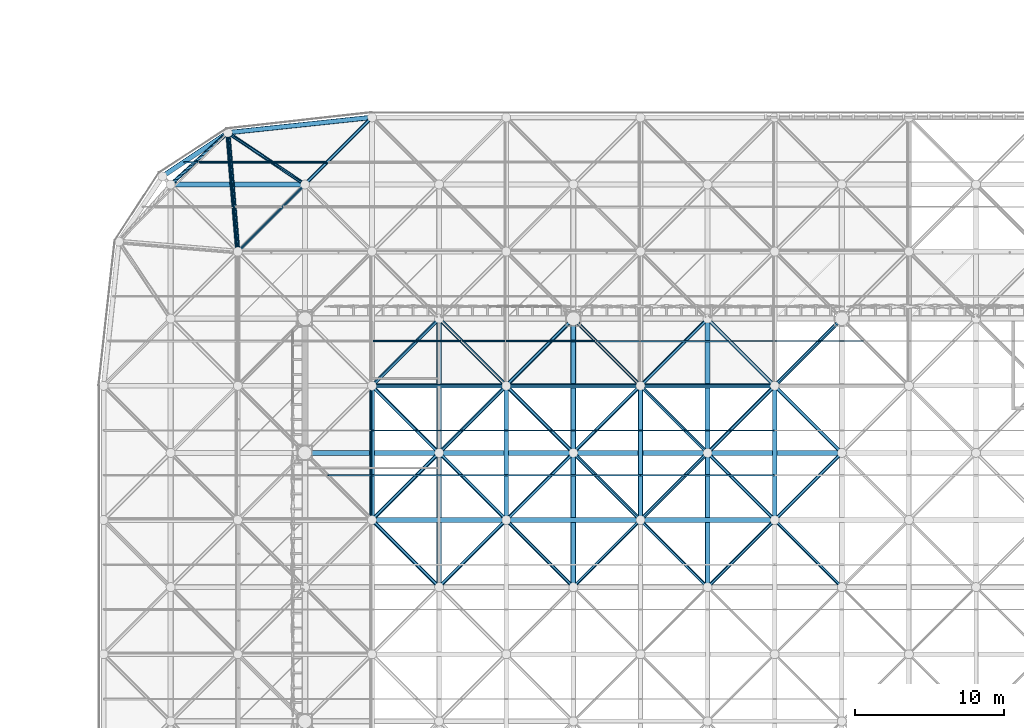
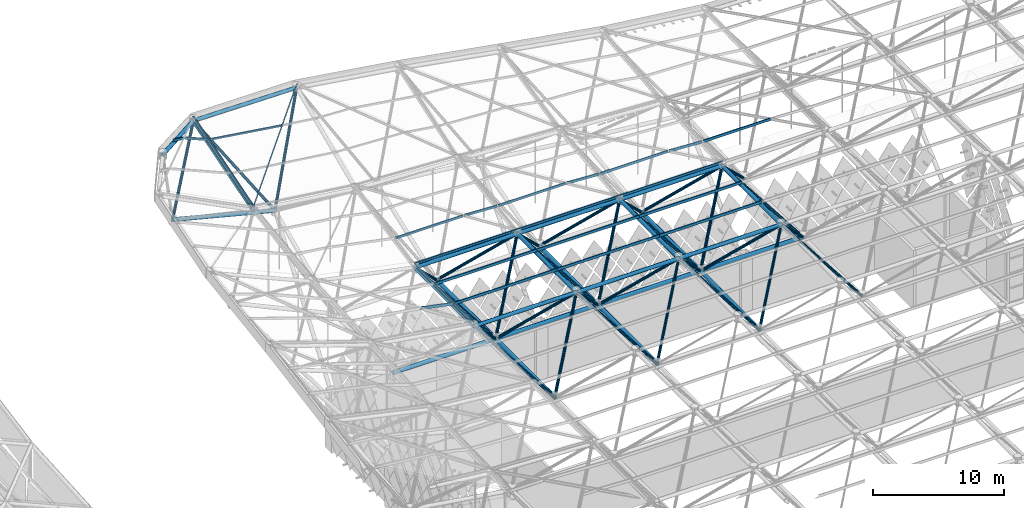
# One storey, part 146 of 437: 79 members.
"""IFC4 building model written with IfcOpenShell, lengths in metres."""

import ifcopenshell
import ifcopenshell.guid

model = None  # the IFC model being written
_history = None  # IfcOwnerHistory: only IFC2X3 demands one
_inside = {}  # id of a spatial element -> (the spatial element, [elements in it])
_under = {}  # id of a project, library or spatial element -> (it, [spatial elements below it])
_declared = {}  # id of a project -> (the project, [libraries it declares])
_typed = {}  # id of a type object -> (the type object, [elements of that type])
_made_of = {}  # id of a material, layer set ... -> (it, [elements and type objects made of it])


def new_model(schema):
    """Start an empty IFC model of exactly this schema.

    Asked for "IFC4X3", IfcOpenShell would pick the latest addendum, in which some entities
    have other attributes; the version numbers below select the first issue.
    IFC2X3 requires an IfcOwnerHistory on every rooted entity: one is made here for all.
    """
    global model, _history
    if schema == "IFC4X3":
        model = ifcopenshell.file(schema_version=(4, 3, 0, 0))
    else:
        model = ifcopenshell.file(schema=schema)
    _inside.clear()
    _under.clear()
    _declared.clear()
    _typed.clear()
    _made_of.clear()
    _history = None
    if model.schema == "IFC2X3":
        org = make("IfcOrganization", Name="unknown")
        user = make(
            "IfcPersonAndOrganization",
            ThePerson=make("IfcPerson", FamilyName="unknown"),
            TheOrganization=org,
        )
        app = make(
            "IfcApplication",
            ApplicationDeveloper=org,
            Version="unknown",
            ApplicationFullName="unknown",
            ApplicationIdentifier="unknown",
        )
        _history = make(
            "IfcOwnerHistory",
            OwningUser=user,
            OwningApplication=app,
            ChangeAction="ADDED",
            CreationDate=0,
        )
    return model


def make(cls, **values):
    """One entity of the class cls with the attributes given. An attribute that is None is left unset."""
    return model.create_entity(
        cls, **{name: value for name, value in values.items() if value is not None}
    )


def rooted(cls, **values):
    """An entity with a GlobalId (a new one), such as an element, a storey or a relation."""
    return make(cls, GlobalId=ifcopenshell.guid.new(), OwnerHistory=_history, **values)


def si_unit(unit_type, name, prefix=None):
    """IfcSIUnit, for example si_unit("LENGTHUNIT", "METRE", prefix="MILLI")."""
    return make("IfcSIUnit", UnitType=unit_type, Prefix=prefix, Name=name)


def assignment(units):
    """IfcUnitAssignment: the units of a project."""
    return None if units is None else make("IfcUnitAssignment", Units=units)


def point(xyz):
    """IfcCartesianPoint."""
    return None if xyz is None else make("IfcCartesianPoint", Coordinates=xyz)


def direction(xyz):
    """IfcDirection."""
    return None if xyz is None else make("IfcDirection", DirectionRatios=xyz)


def frame(location, z_axis=None, x_axis=None):
    """IfcAxis2Placement3D, a coordinate frame: its origin and axes. An axis left out is left unset."""
    return make(
        "IfcAxis2Placement3D",
        Location=point(location),
        Axis=direction(z_axis),
        RefDirection=direction(x_axis),
    )


def frame_2d(location, x_axis=None):
    """IfcAxis2Placement2D, a coordinate frame in the plane: its origin and x axis."""
    return make(
        "IfcAxis2Placement2D", Location=point(location), RefDirection=direction(x_axis)
    )


def origin():
    """The frame at (0, 0, 0) with its axes left unset."""
    return frame((0.0, 0.0, 0.0))


def origin_2d():
    """The frame at (0, 0) in the plane with its x axis left unset."""
    return frame_2d((0.0, 0.0))


def place(relative_to, where):
    """IfcLocalPlacement: puts the frame where relative to a parent placement (None: the world)."""
    return make(
        "IfcLocalPlacement", PlacementRelTo=relative_to, RelativePlacement=where
    )


def context(
    kind, dimensions, precision=None, world=None, true_north=None, identifier=None
):
    """IfcGeometricRepresentationContext, for example the 3D "Model" context."""
    return make(
        "IfcGeometricRepresentationContext",
        ContextIdentifier=identifier,
        ContextType=kind,
        CoordinateSpaceDimension=dimensions,
        Precision=precision,
        WorldCoordinateSystem=world,
        TrueNorth=true_north,
    )


def subcontext(parent, identifier, kind, view, scale=None):
    """IfcGeometricRepresentationSubContext, for example "Body" below "Model"."""
    return make(
        "IfcGeometricRepresentationSubContext",
        ContextIdentifier=identifier,
        ContextType=kind,
        ParentContext=parent,
        TargetScale=scale,
        TargetView=view,
    )


def project(units=None, contexts=None):
    """IfcProject with its units and contexts."""
    return rooted(
        "IfcProject",
        Name="project",
        RepresentationContexts=contexts,
        UnitsInContext=assignment(units),
    )


def spatial(cls, under=None, at=None, **own):
    """A site, building, storey or space (cls), placed at a placement, below another one or the project."""
    s = rooted(cls, ObjectPlacement=at, **own)
    if under is not None:
        _under.setdefault(under.id(), (under, []))[1].append(s)
    return s


def polyline(points):
    """IfcPolyline through the points."""
    return make("IfcPolyline", Points=[point(p) for p in points])


def profile(cls, at=None, kind="AREA", **sizes):
    """A parametric profile (cls). Its sizes go by their IFC names, for example OverallWidth=200.0."""
    return make(cls, ProfileType=kind, Position=at, **sizes)


def hollow_circle(**sizes):
    """IfcCircleHollowProfileDef."""
    return profile("IfcCircleHollowProfileDef", **sizes)


def outline(outer, holes=None, kind="AREA"):
    """IfcArbitraryClosedProfileDef: a profile drawn as a closed curve; with holes, ...WithVoids."""
    if holes is None:
        return make("IfcArbitraryClosedProfileDef", ProfileType=kind, OuterCurve=outer)
    return make(
        "IfcArbitraryProfileDefWithVoids",
        ProfileType=kind,
        OuterCurve=outer,
        InnerCurves=holes,
    )


def extrude(swept, where, along, depth):
    """IfcExtrudedAreaSolid: the profile swept, set in the frame where, extruded along a direction by depth."""
    return make(
        "IfcExtrudedAreaSolid",
        SweptArea=swept,
        Position=where,
        ExtrudedDirection=direction(along),
        Depth=depth,
    )


def shape(context_of_items, identifier, shape_type, items):
    """IfcShapeRepresentation: the items that make up one representation, for example the "Body"."""
    return make(
        "IfcShapeRepresentation",
        ContextOfItems=context_of_items,
        RepresentationIdentifier=identifier,
        RepresentationType=shape_type,
        Items=items,
    )


def material(Name=None, Category=None):
    """IfcMaterial."""
    return make("IfcMaterial", Name=Name, Category=Category)


def material_profile(
    of_material, cross_section, Name=None, Category=None, Priority=None
):
    """IfcMaterialProfile: a cross section and its material."""
    return make(
        "IfcMaterialProfile",
        Name=Name,
        Material=of_material,
        Profile=cross_section,
        Priority=Priority,
        Category=Category,
    )


def profile_set(profiles, Name=None, composite=None):
    """IfcMaterialProfileSet."""
    return make(
        "IfcMaterialProfileSet",
        Name=Name,
        MaterialProfiles=profiles,
        CompositeProfile=composite,
    )


def made_of(thing, what):
    """Note that an element or type object is made of a material, layer set ...; save() writes the relation."""
    if what is not None:
        _made_of.setdefault(what.id(), (what, []))[1].append(thing)
    return thing


def type_object(cls, material=None, **own):
    """A type object (cls), such as IfcWallType, which elements share."""
    return made_of(rooted(cls, **own), material)


def element(
    cls,
    number,
    at=None,
    inside=None,
    cuts=None,
    type_object=None,
    material=None,
    context=None,
    identifier="Body",
    shape_type=None,
    held_by="IfcProductDefinitionShape",
    body=None,
    shapes=None,
    **own,
):
    """One element of the class cls, such as IfcWall. Its Tag is "e" and its number.

    at: its placement. inside: the storey or other place that contains it. cuts: it is an
    opening in that element (IfcRelVoidsElement). A single representation is given by context,
    identifier, shape_type and body (its items); several are given by shapes. held_by: the class
    of the entity that holds the representations. save() writes the other relations.
    """
    e = rooted(cls, Tag="e%d" % number, ObjectPlacement=at, **own)
    if body is not None:
        shapes = [shape(context, identifier, shape_type, body)]
    if shapes is not None:
        e.Representation = make(held_by, Representations=shapes)
    if inside is not None:
        _inside.setdefault(inside.id(), (inside, []))[1].append(e)
    if cuts is not None:
        rooted(
            "IfcRelVoidsElement", RelatingBuildingElement=cuts, RelatedOpeningElement=e
        )
    if type_object is not None:
        _typed.setdefault(type_object.id(), (type_object, []))[1].append(e)
    return made_of(e, material)


def aggregate(whole, parts):
    """IfcRelAggregates: a whole, such as a stair, and the parts it consists of."""
    return rooted("IfcRelAggregates", RelatingObject=whole, RelatedObjects=parts)


def save(model, path):
    """Write the relations noted so far, then the file.

    IfcRelAggregates (storeys below a building ...), IfcRelContainedInSpatialStructure (elements
    in a storey), IfcRelDefinesByType, IfcRelAssociatesMaterial and IfcRelDeclares: one each for
    every whole, place, type object, material and project.
    """
    for whole, parts in _under.values():
        aggregate(whole, parts)
    for where, things in _inside.values():
        rooted(
            "IfcRelContainedInSpatialStructure",
            RelatedElements=things,
            RelatingStructure=where,
        )
    for kind, things in _typed.values():
        rooted("IfcRelDefinesByType", RelatedObjects=things, RelatingType=kind)
    for what, things in _made_of.values():
        rooted("IfcRelAssociatesMaterial", RelatedObjects=things, RelatingMaterial=what)
    for by, libraries in _declared.values():
        rooted("IfcRelDeclares", RelatingContext=by, RelatedDefinitions=libraries)
    model.write(path)


model = new_model("IFC4")

# Units and contexts
model_context = context("Model", 3, precision=1e-05, world=origin(), true_north=direction((0.0, 1.0)))
body_context = subcontext(model_context, "Body", "Model", "MODEL_VIEW")
ifc_project = project(units=[si_unit("LENGTHUNIT", "METRE"), si_unit("AREAUNIT", "SQUARE_METRE"), si_unit("VOLUMEUNIT", "CUBIC_METRE"), si_unit("PLANEANGLEUNIT", "RADIAN"), si_unit("MASSUNIT", "GRAM", prefix="KILO")], contexts=[model_context])

# Site, building, storey
site_placement = place(None, origin())
site = spatial("IfcSite", under=ifc_project, at=site_placement, CompositionType="ELEMENT")
building_placement = place(site_placement, origin())
building = spatial("IfcBuilding", under=site, at=building_placement, Name="Opaline Strait Convention Centre", CompositionType="ELEMENT")
storey_placement = place(building_placement, frame((0.0, 0.0, 11.5)))
storey = spatial("IfcBuildingStorey", under=building, at=storey_placement, Name="L02", CompositionType="ELEMENT", Elevation=11.5)

# Members
ifc_material = material(Name="Steel Q355B", Category="steel")
ifc_material_profile_1 = material_profile(ifc_material, outline(polyline([(-0.03759765625, -0.125), (0.03759765625, -0.125), (0.03759765625, -0.10498046875), (0.034912109375, -0.10498046875), (0.034912109375, -0.12255859375), (-0.034912109375, -0.12255859375), (-0.034912109375, 0.12255859375), (0.034912109375, 0.12255859375), (0.034912109375, 0.10498046875), (0.03759765625, 0.10498046875), (0.03759765625, 0.125), (-0.03759765625, 0.125), (-0.03759765625, -0.125)])), Name="C 250x75x20x2.5")
ifc_profile_set_1 = profile_set([ifc_material_profile_1], Name="Steel Q355B")
member_type_1 = type_object("IfcMemberType", Name="Roof purlin C 250x75x20x2.5", PredefinedType="PURLIN", material=ifc_profile_set_1)
member_1_placement = place(storey_placement, frame((103.43603515625, 139.449951171875, 18.272705078125), z_axis=(0.0, 1.0, 0.0), x_axis=(-0.97978004307, 0.0, 0.200077652928)))
element("IfcMember", 1, at=member_1_placement, inside=storey, type_object=member_type_1, Name="EXB-RF-E-1-11a", PredefinedType="PURLIN", context=body_context, shape_type="SweptSolid", body=[
    extrude(outline(polyline([(-0.03759765625, -0.125), (0.03759765625, -0.125), (0.03759765625, -0.10498046875), (0.034912109375, -0.10498046875), (0.034912109375, -0.12255859375), (-0.034912109375, -0.12255859375), (-0.034912109375, 0.12255859375), (0.034912109375, 0.12255859375), (0.034912109375, 0.10498046875), (0.03759765625, 0.10498046875), (0.03759765625, 0.125), (-0.03759765625, 0.125), (-0.03759765625, -0.125)])), origin(), (0.0, 0.0, 1.0), 9.10009765625),
])
member_2_placement = place(storey_placement, frame((100.550048828125, 142.5, 18.862060546875), z_axis=(0.979782251456, 0.0, -0.200066838161), x_axis=(0.0, 1.0, 0.0)))
element("IfcMember", 2, at=member_2_placement, inside=storey, type_object=member_type_1, Name="EXB-RF-P-1-11-0a", PredefinedType="PURLIN", context=body_context, shape_type="SweptSolid", body=[
    extrude(outline(polyline([(-0.03759765625, -0.125), (0.03759765625, -0.125), (0.03759765625, -0.10498046875), (0.034912109375, -0.10498046875), (0.034912109375, -0.12255859375), (-0.034912109375, -0.12255859375), (-0.034912109375, 0.12255859375), (0.034912109375, 0.12255859375), (0.034912109375, 0.10498046875), (0.03759765625, 0.10498046875), (0.03759765625, 0.125), (-0.03759765625, 0.125), (-0.03759765625, -0.125)])), origin(), (0.0, 0.0, 1.0), 2.910400390625),
])
for number, where, z_axis, x_axis, name in (
    (3, (103.5, 142.5, 18.257080078125), (1.0, 0.0, 0.0), (0.0, 1.0, 0.0), "EXB-RF-P-2-11-0"),
    (4, (103.5, 145.5, 18.257080078125), (1.0, 0.0, 0.0), (0.0, 1.0, 0.0), "EXB-RF-P-2-11-1"),
    (5, (112.5, 142.5, 18.257080078125), (1.0, 0.0, 0.0), (0.0, 1.0, 0.0), "EXB-RF-P-3-11-0"),
    (6, (112.5, 145.5, 18.257080078125), (1.0, 0.0, 0.0), (0.0, 1.0, 0.0), "EXB-RF-P-3-11-1"),
    (7, (121.5, 142.5, 18.257080078125), (1.0, 0.0, 0.0), (0.0, 1.0, 0.0), "EXB-RF-P-4-11-0"),
    (8, (121.5, 145.5, 18.257080078125), (1.0, 0.0, 0.0), (0.0, 1.0, 0.0), "EXB-RF-P-4-11-1"),
):
    element("IfcMember", number, at=place(storey_placement, frame(where, z_axis=z_axis, x_axis=x_axis)), inside=storey, type_object=member_type_1, Name=name, PredefinedType="PURLIN", context=body_context, shape_type="SweptSolid", body=[
        extrude(outline(polyline([(-0.03759765625, -0.125), (0.03759765625, -0.125), (0.03759765625, -0.10498046875), (0.034912109375, -0.10498046875), (0.034912109375, -0.12255859375), (-0.034912109375, -0.12255859375), (-0.034912109375, 0.12255859375), (0.034912109375, 0.12255859375), (0.034912109375, 0.10498046875), (0.03759765625, 0.10498046875), (0.03759765625, 0.125), (-0.03759765625, 0.125), (-0.03759765625, -0.125)])), origin(), (0.0, 0.0, 1.0), 9.0),
    ])
member_3_placement = place(storey_placement, frame((109.550048828125, 151.5, 18.86767578125), z_axis=(0.998826229539, 0.0, -0.048437208681), x_axis=(0.0074527277, 0.988092083083, 0.153683090151)))
element("IfcMember", 9, at=member_3_placement, inside=storey, type_object=member_type_1, Name="EXB-RF-P-2-12-0a", PredefinedType="PURLIN", context=body_context, shape_type="SweptSolid", body=[
    extrude(outline(polyline([(-0.03759765625, -0.125), (0.03759765625, -0.125), (0.03759765625, -0.10498046875), (0.034912109375, -0.10498046875), (0.034912109375, -0.12255859375), (-0.034912109375, -0.12255859375), (-0.034912109375, 0.12255859375), (0.034912109375, 0.12255859375), (0.034912109375, 0.10498046875), (0.03759765625, 0.10498046875), (0.03759765625, 0.125), (-0.03759765625, 0.125), (-0.03759765625, -0.125)])), origin(), (0.0, 0.0, 1.0), 2.873046875),
])
member_4_placement = place(storey_placement, frame((103.449951171875, 148.56396484375, 18.270751953125), z_axis=(1.0, 0.0, 0.0), x_axis=(0.0, 0.97978004307, 0.200077652928)))
element("IfcMember", 10, at=member_4_placement, inside=storey, type_object=member_type_1, Name="EXB-RF-E-2-12b", PredefinedType="PURLIN", context=body_context, shape_type="SweptSolid", body=[
    extrude(outline(polyline([(-0.03759765625, -0.125), (0.03759765625, -0.125), (0.03759765625, -0.10498046875), (0.034912109375, -0.10498046875), (0.034912109375, -0.12255859375), (-0.034912109375, -0.12255859375), (-0.034912109375, 0.12255859375), (0.034912109375, 0.12255859375), (0.034912109375, 0.10498046875), (0.03759765625, 0.10498046875), (0.03759765625, 0.125), (-0.03759765625, 0.125), (-0.03759765625, -0.125)])), origin(), (0.0, 0.0, 1.0), 9.10009765625),
])
member_5_placement = place(storey_placement, frame((103.5, 151.5, 18.870361328125), z_axis=(1.0, 0.0, 0.0), x_axis=(0.0, 0.97978004307, 0.200077652928)))
element("IfcMember", 11, at=member_5_placement, inside=storey, type_object=member_type_1, Name="EXB-RF-P-2-12-0b", PredefinedType="PURLIN", context=body_context, shape_type="SweptSolid", body=[
    extrude(outline(polyline([(-0.03759765625, -0.125), (0.03759765625, -0.125), (0.03759765625, -0.10498046875), (0.034912109375, -0.10498046875), (0.034912109375, -0.12255859375), (-0.034912109375, -0.12255859375), (-0.034912109375, 0.12255859375), (0.034912109375, 0.12255859375), (0.034912109375, 0.10498046875), (0.03759765625, 0.10498046875), (0.03759765625, 0.125), (-0.03759765625, 0.125), (-0.03759765625, -0.125)])), origin(), (0.0, 0.0, 1.0), 5.949951171875),
])
member_6_placement = place(storey_placement, frame((118.550048828125, 151.5, 18.7216796875), z_axis=(0.998387885039, 0.0, -0.056759413379), x_axis=(0.005583901083, 0.995149078082, 0.098219816952)))
element("IfcMember", 12, at=member_6_placement, inside=storey, type_object=member_type_1, Name="EXB-RF-P-3-12-0a", PredefinedType="PURLIN", context=body_context, shape_type="SweptSolid", body=[
    extrude(outline(polyline([(-0.03759765625, -0.125), (0.03759765625, -0.125), (0.03759765625, -0.10498046875), (0.034912109375, -0.10498046875), (0.034912109375, -0.12255859375), (-0.034912109375, -0.12255859375), (-0.034912109375, 0.12255859375), (0.034912109375, 0.12255859375), (0.034912109375, 0.10498046875), (0.03759765625, 0.10498046875), (0.03759765625, 0.125), (-0.03759765625, 0.125), (-0.03759765625, -0.125)])), origin(), (0.0, 0.0, 1.0), 2.873291015625),
])
member_7_placement = place(storey_placement, frame((112.449951171875, 148.558349609375, 18.2666015625), z_axis=(1.0, 0.0, 0.0), x_axis=(0.0, 0.988092083083, 0.153863690806)))
element("IfcMember", 13, at=member_7_placement, inside=storey, type_object=member_type_1, Name="EXB-RF-E-3-12b", PredefinedType="PURLIN", context=body_context, shape_type="SweptSolid", body=[
    extrude(outline(polyline([(-0.03759765625, -0.125), (0.03759765625, -0.125), (0.03759765625, -0.10498046875), (0.034912109375, -0.10498046875), (0.034912109375, -0.12255859375), (-0.034912109375, -0.12255859375), (-0.034912109375, 0.12255859375), (0.034912109375, 0.12255859375), (0.034912109375, 0.10498046875), (0.03759765625, 0.10498046875), (0.03759765625, 0.125), (-0.03759765625, 0.125), (-0.03759765625, -0.125)])), origin(), (0.0, 0.0, 1.0), 9.10009765625),
])
member_8_placement = place(storey_placement, frame((112.5, 151.5, 18.724609375), z_axis=(1.0, 0.0, 0.0), x_axis=(0.0, 0.988092083083, 0.153863690806)))
element("IfcMember", 14, at=member_8_placement, inside=storey, type_object=member_type_1, Name="EXB-RF-P-3-12-0b", PredefinedType="PURLIN", context=body_context, shape_type="SweptSolid", body=[
    extrude(outline(polyline([(-0.03759765625, -0.125), (0.03759765625, -0.125), (0.03759765625, -0.10498046875), (0.034912109375, -0.10498046875), (0.034912109375, -0.12255859375), (-0.034912109375, -0.12255859375), (-0.034912109375, 0.12255859375), (0.034912109375, 0.12255859375), (0.034912109375, 0.10498046875), (0.03759765625, 0.10498046875), (0.03759765625, 0.125), (-0.03759765625, 0.125), (-0.03759765625, -0.125)])), origin(), (0.0, 0.0, 1.0), 5.949951171875),
])
member_9_placement = place(storey_placement, frame((127.550048828125, 151.5, 18.551025390625), z_axis=(0.998533968288, 0.0, -0.054128681627), x_axis=(0.00241447924, 0.999004644434, 0.044540887834)))
element("IfcMember", 15, at=member_9_placement, inside=storey, type_object=member_type_1, Name="EXB-RF-P-4-12-0a", PredefinedType="PURLIN", context=body_context, shape_type="SweptSolid", body=[
    extrude(outline(polyline([(-0.03759765625, -0.125), (0.03759765625, -0.125), (0.03759765625, -0.10498046875), (0.034912109375, -0.10498046875), (0.034912109375, -0.12255859375), (-0.034912109375, -0.12255859375), (-0.034912109375, 0.12255859375), (0.034912109375, 0.12255859375), (0.034912109375, 0.10498046875), (0.03759765625, 0.10498046875), (0.03759765625, 0.125), (-0.03759765625, 0.125), (-0.03759765625, -0.125)])), origin(), (0.0, 0.0, 1.0), 2.873046875),
])
member_10_placement = place(storey_placement, frame((121.449951171875, 148.5517578125, 18.26220703125), z_axis=(1.0, 0.0, 0.0), x_axis=(0.0, 0.995149078082, 0.098378414266)))
element("IfcMember", 16, at=member_10_placement, inside=storey, type_object=member_type_1, Name="EXB-RF-E-4-12b", PredefinedType="PURLIN", context=body_context, shape_type="SweptSolid", body=[
    extrude(outline(polyline([(-0.03759765625, -0.125), (0.03759765625, -0.125), (0.03759765625, -0.10498046875), (0.034912109375, -0.10498046875), (0.034912109375, -0.12255859375), (-0.034912109375, -0.12255859375), (-0.034912109375, 0.12255859375), (0.034912109375, 0.12255859375), (0.034912109375, 0.10498046875), (0.03759765625, 0.10498046875), (0.03759765625, 0.125), (-0.03759765625, 0.125), (-0.03759765625, -0.125)])), origin(), (0.0, 0.0, 1.0), 9.10009765625),
])
for number, where, z_axis, x_axis, name in (
    (17, (121.5, 151.5, 18.5537109375), (1.0, 0.0, 0.0), (0.0, 0.995149078082, 0.098378414266), "EXB-RF-P-4-12-0b"),
    (18, (130.5, 151.5, 18.390869140625), (1.0, 0.0, 0.0), (0.0, 0.999004644434, 0.044606282058), "EXB-RF-P-5-12-0b"),
):
    element("IfcMember", number, at=place(storey_placement, frame(where, z_axis=z_axis, x_axis=x_axis)), inside=storey, type_object=member_type_1, Name=name, PredefinedType="PURLIN", context=body_context, shape_type="SweptSolid", body=[
        extrude(outline(polyline([(-0.03759765625, -0.125), (0.03759765625, -0.125), (0.03759765625, -0.10498046875), (0.034912109375, -0.10498046875), (0.034912109375, -0.12255859375), (-0.034912109375, -0.12255859375), (-0.034912109375, 0.12255859375), (0.034912109375, 0.12255859375), (0.034912109375, 0.10498046875), (0.03759765625, 0.10498046875), (0.03759765625, 0.125), (-0.03759765625, 0.125), (-0.03759765625, -0.125)])), origin(), (0.0, 0.0, 1.0), 5.949951171875),
    ])
member_11_placement = place(storey_placement, frame((94.424072265625, 157.443603515625, 21.2900390625), z_axis=(-0.075516163138, 0.903652154116, 0.421556749995), x_axis=(-0.926866293842, -0.21951530941, 0.304519132854)))
element("IfcMember", 19, at=member_11_placement, inside=storey, type_object=member_type_1, Name="EXB-RF-E-0-13a", PredefinedType="PURLIN", context=body_context, shape_type="SweptSolid", body=[
    extrude(outline(polyline([(-0.03759765625, -0.125), (0.03759765625, -0.125), (0.03759765625, -0.10498046875), (0.034912109375, -0.10498046875), (0.034912109375, -0.12255859375), (-0.034912109375, -0.12255859375), (-0.034912109375, 0.12255859375), (0.034912109375, 0.12255859375), (0.034912109375, 0.10498046875), (0.03759765625, 0.10498046875), (0.03759765625, 0.125), (-0.03759765625, 0.125), (-0.03759765625, -0.125)])), origin(), (0.0, 0.0, 1.0), 8.9326171875),
])
member_12_placement = place(storey_placement, frame((91.911376953125, 163.5, 24.97802734375), z_axis=(0.918467273265, 0.0, -0.395496988537), x_axis=(0.156386969325, 0.918500910826, 0.363179284427)))
element("IfcMember", 20, at=member_12_placement, inside=storey, type_object=member_type_1, Name="EXB-RF-P-0-13-1a", PredefinedType="PURLIN", context=body_context, shape_type="SweptSolid", body=[
    extrude(outline(polyline([(-0.03759765625, -0.125), (0.03759765625, -0.125), (0.03759765625, -0.10498046875), (0.034912109375, -0.10498046875), (0.034912109375, -0.12255859375), (-0.034912109375, -0.12255859375), (-0.034912109375, 0.12255859375), (0.034912109375, 0.12255859375), (0.034912109375, 0.10498046875), (0.03759765625, 0.10498046875), (0.03759765625, 0.125), (-0.03759765625, 0.125), (-0.03759765625, -0.125)])), origin(), (0.0, 0.0, 1.0), 2.14697265625),
])
member_13_placement = place(storey_placement, frame((90.8818359375, 163.5, 25.087646484375), z_axis=(0.994687182031, 0.0, -0.102943722017), x_axis=(0.010599718065, 0.994684861285, 0.102419103235)))
element("IfcMember", 21, at=member_13_placement, inside=storey, type_object=member_type_1, Name="EXB-RF-P-0-13-1b", PredefinedType="PURLIN", context=body_context, shape_type="SweptSolid", body=[
    extrude(outline(polyline([(-0.03759765625, -0.125), (0.03759765625, -0.125), (0.03759765625, -0.10498046875), (0.034912109375, -0.10498046875), (0.034912109375, -0.12255859375), (-0.034912109375, -0.12255859375), (-0.034912109375, 0.12255859375), (0.034912109375, 0.12255859375), (0.034912109375, 0.10498046875), (0.03759765625, 0.10498046875), (0.03759765625, 0.125), (-0.03759765625, 0.125), (-0.03759765625, -0.125)])), origin(), (0.0, 0.0, 1.0), 0.934326171875),
])
member_14_placement = place(storey_placement, frame((94.5, 157.5, 21.27099609375), z_axis=(0.690740022732, 0.690740022732, 0.213907554783), x_axis=(-0.713355387204, 0.602521591585, 0.357899180246)))
element("IfcMember", 22, at=member_14_placement, inside=storey, type_object=member_type_1, Name="EXB-RF-F-1-13", PredefinedType="PURLIN", context=body_context, shape_type="SweptSolid", body=[
    extrude(outline(polyline([(-0.03759765625, -0.125), (0.03759765625, -0.125), (0.03759765625, -0.10498046875), (0.034912109375, -0.10498046875), (0.034912109375, -0.12255859375), (-0.034912109375, -0.12255859375), (-0.034912109375, 0.12255859375), (0.034912109375, 0.12255859375), (0.034912109375, 0.10498046875), (0.03759765625, 0.10498046875), (0.03759765625, 0.125), (-0.03759765625, 0.125), (-0.03759765625, -0.125)])), origin(), (0.0, 0.0, 1.0), 13.029541015625),
])
member_15_placement = place(storey_placement, frame((94.5439453125, 157.45361328125, 21.244140625), z_axis=(-0.075517033196, 0.903662565532, 0.42153427542), x_axis=(-0.988553259853, -0.123221130266, 0.087057483823)))
element("IfcMember", 23, at=member_15_placement, inside=storey, type_object=member_type_1, Name="EXB-RF-E-1-13b", PredefinedType="PURLIN", context=body_context, shape_type="SweptSolid", body=[
    extrude(outline(polyline([(-0.03759765625, -0.125), (0.03759765625, -0.125), (0.03759765625, -0.10498046875), (0.034912109375, -0.10498046875), (0.034912109375, -0.12255859375), (-0.034912109375, -0.12255859375), (-0.034912109375, 0.12255859375), (0.034912109375, 0.12255859375), (0.034912109375, 0.10498046875), (0.03759765625, 0.10498046875), (0.03759765625, 0.125), (-0.03759765625, 0.125), (-0.03759765625, -0.125)])), origin(), (0.0, 0.0, 1.0), 8.9326171875),
])
member_16_placement = place(storey_placement, frame((94.073486328125, 163.5, 24.0595703125), z_axis=(0.989688643151, 0.0, -0.143235434226), x_axis=(0.059254277929, 0.91042030985, 0.409418844169)))
element("IfcMember", 24, at=member_16_placement, inside=storey, type_object=member_type_1, Name="EXB-RF-P-1-13-1b", PredefinedType="PURLIN", context=body_context, shape_type="SweptSolid", body=[
    extrude(outline(polyline([(-0.03759765625, -0.125), (0.03759765625, -0.125), (0.03759765625, -0.10498046875), (0.034912109375, -0.10498046875), (0.034912109375, -0.12255859375), (-0.034912109375, -0.12255859375), (-0.034912109375, 0.12255859375), (0.034912109375, 0.12255859375), (0.034912109375, 0.10498046875), (0.03759765625, 0.10498046875), (0.03759765625, 0.125), (-0.03759765625, 0.125), (-0.03759765625, -0.125)])), origin(), (0.0, 0.0, 1.0), 6.44287109375),
])
ifc_material_profile_2 = material_profile(ifc_material, hollow_circle(Radius=0.16259765625, WallThickness=0.013916015625, at=origin_2d()), Name="CHS 325x14")
ifc_profile_set_2 = profile_set([ifc_material_profile_2], Name="Steel Q355B")
member_type_2 = type_object("IfcMemberType", Name="Space frame bottom chord CHS 325x14", PredefinedType="CHORD", material=ifc_profile_set_2)
member_17_placement = place(storey_placement, frame((126.0, 134.949951171875, 12.5), z_axis=(0.0, 1.0, 0.0), x_axis=(-1.0, 0.0, 0.0)))
element("IfcMember", 25, at=member_17_placement, inside=storey, type_object=member_type_2, Name="EXB-RF-BY-4-10", PredefinedType="CHORD", context=body_context, shape_type="SweptSolid", body=[
    extrude(hollow_circle(Radius=0.16259765625, WallThickness=0.013916015625, at=origin_2d()), origin(), (0.0, 0.0, 1.0), 9.10009765625),
])
ifc_material_profile_3 = material_profile(ifc_material, hollow_circle(Radius=0.175537109375, WallThickness=0.01611328125, at=origin_2d()), Name="CHS 351x16")
ifc_profile_set_3 = profile_set([ifc_material_profile_3], Name="Steel Q355B")
member_type_3 = type_object("IfcMemberType", Name="Space frame bottom chord CHS 351x16", PredefinedType="CHORD", material=ifc_profile_set_3)
for number, where, z_axis, x_axis, name in (
    (26, (98.949951171875, 144.0, 12.5), (1.0, 0.0, 0.0), (0.0, 1.0, 0.0), "EXB-RF-BX-1-11"),
    (27, (107.949951171875, 144.0, 12.5), (1.0, 0.0, 0.0), (0.0, 1.0, 0.0), "EXB-RF-BX-2-11"),
    (28, (116.949951171875, 144.0, 12.5), (1.0, 0.0, 0.0), (0.0, 1.0, 0.0), "EXB-RF-BX-3-11"),
    (29, (125.949951171875, 144.0, 12.5), (1.0, 0.0, 0.0), (0.0, 1.0, 0.0), "EXB-RF-BX-4-11"),
):
    element("IfcMember", number, at=place(storey_placement, frame(where, z_axis=z_axis, x_axis=x_axis)), inside=storey, type_object=member_type_3, Name=name, PredefinedType="CHORD", context=body_context, shape_type="SweptSolid", body=[
        extrude(hollow_circle(Radius=0.175537109375, WallThickness=0.01611328125, at=origin_2d()), origin(), (0.0, 0.0, 1.0), 9.10009765625),
    ])
member_18_placement = place(storey_placement, frame((89.95166015625, 162.0, 18.96435546875), z_axis=(0.968974979118, 0.0, -0.247158835253), x_axis=(0.0, 1.0, 0.0)))
element("IfcMember", 30, at=member_18_placement, inside=storey, type_object=member_type_3, Name="EXB-RF-BX-0-13", PredefinedType="CHORD", context=body_context, shape_type="SweptSolid", body=[
    extrude(hollow_circle(Radius=0.175537109375, WallThickness=0.01611328125, at=origin_2d()), origin(), (0.0, 0.0, 1.0), 9.387939453125),
])
for number, where, z_axis, x_axis, name in (
    (31, (108.0, 134.949951171875, 12.5), (0.0, 1.0, 0.0), (-1.0, 0.0, 0.0), "EXB-RF-BY-2-10"),
    (32, (108.0, 143.949951171875, 12.5), (0.0, 1.0, 0.0), (-1.0, 0.0, 0.0), "EXB-RF-BY-2-11"),
    (33, (117.0, 134.949951171875, 12.5), (0.0, 1.0, 0.0), (-1.0, 0.0, 0.0), "EXB-RF-BY-3-10"),
    (34, (117.0, 143.949951171875, 12.5), (0.0, 1.0, 0.0), (-1.0, 0.0, 0.0), "EXB-RF-BY-3-11"),
    (35, (126.0, 143.949951171875, 12.5), (0.0, 1.0, 0.0), (-1.0, 0.0, 0.0), "EXB-RF-BY-4-11"),
):
    element("IfcMember", number, at=place(storey_placement, frame(where, z_axis=z_axis, x_axis=x_axis)), inside=storey, type_object=member_type_3, Name=name, PredefinedType="CHORD", context=body_context, shape_type="SweptSolid", body=[
        extrude(hollow_circle(Radius=0.175537109375, WallThickness=0.01611328125, at=origin_2d()), origin(), (0.0, 0.0, 1.0), 9.10009765625),
    ])
ifc_material_profile_4 = material_profile(ifc_material, hollow_circle(Radius=0.16259765625, WallThickness=0.013916015625, at=origin_2d()), Name="CHS 325x14")
ifc_profile_set_4 = profile_set([ifc_material_profile_4], Name="Steel Q355B")
member_type_4 = type_object("IfcMemberType", Name="Space frame top chord CHS 325x14", PredefinedType="CHORD", material=ifc_profile_set_4)
member_19_placement = place(storey_placement, frame((121.449951171875, 139.5, 17.971435546875), z_axis=(1.0, 0.0, 0.0), x_axis=(0.0, 1.0, 0.0)))
element("IfcMember", 36, at=member_19_placement, inside=storey, type_object=member_type_4, Name="EXB-RF-TX-4-11", PredefinedType="CHORD", context=body_context, shape_type="SweptSolid", body=[
    extrude(hollow_circle(Radius=0.16259765625, WallThickness=0.013916015625, at=origin_2d()), origin(), (0.0, 0.0, 1.0), 9.10009765625),
])
member_20_placement = place(storey_placement, frame((89.41259765625, 162.51806640625, 24.851806640625), z_axis=(0.83110196842, 0.555386538883, -0.028553642769), x_axis=(-0.555613083664, 0.83144097882, 0.0)))
element("IfcMember", 37, at=member_20_placement, inside=storey, type_object=member_type_4, Name="EXB-RF-TX-0-14", PredefinedType="CHORD", context=body_context, shape_type="SweptSolid", body=[
    extrude(hollow_circle(Radius=0.16259765625, WallThickness=0.013916015625, at=origin_2d()), origin(), (0.0, 0.0, 1.0), 5.36962890625),
])
ifc_material_profile_5 = material_profile(ifc_material, hollow_circle(Radius=0.16259765625, WallThickness=0.02001953125, at=origin_2d()), Name="CHS 325x20")
ifc_profile_set_5 = profile_set([ifc_material_profile_5], Name="Steel Q355B")
member_type_5 = type_object("IfcMemberType", Name="Space frame top chord CHS 325x20", PredefinedType="CHORD", material=ifc_profile_set_5)
for number, where, z_axis, x_axis, name in (
    (38, (103.449951171875, 139.5, 17.971435546875), (1.0, 0.0, 0.0), (0.0, 1.0, 0.0), "EXB-RF-TX-2-11"),
    (39, (112.449951171875, 139.5, 17.971435546875), (1.0, 0.0, 0.0), (0.0, 1.0, 0.0), "EXB-RF-TX-3-11"),
    (40, (103.449951171875, 148.5, 17.971435546875), (1.0, 0.0, 0.0), (0.0, 1.0, 0.0), "EXB-RF-TX-2-12"),
    (41, (112.449951171875, 148.5, 17.971435546875), (1.0, 0.0, 0.0), (0.0, 1.0, 0.0), "EXB-RF-TX-3-12"),
    (42, (121.449951171875, 148.5, 17.971435546875), (1.0, 0.0, 0.0), (0.0, 1.0, 0.0), "EXB-RF-TX-4-12"),
):
    element("IfcMember", number, at=place(storey_placement, frame(where, z_axis=z_axis, x_axis=x_axis)), inside=storey, type_object=member_type_5, Name=name, PredefinedType="CHORD", context=body_context, shape_type="SweptSolid", body=[
        extrude(hollow_circle(Radius=0.16259765625, WallThickness=0.02001953125, at=origin_2d()), origin(), (0.0, 0.0, 1.0), 9.10009765625),
    ])
member_21_placement = place(storey_placement, frame((93.7841796875, 165.467041015625, 24.704833984375), z_axis=(0.989856938619, 0.105249170228, -0.095424594498), x_axis=(-0.105731659596, 0.994394698376, 0.0)))
element("IfcMember", 43, at=member_21_placement, inside=storey, type_object=member_type_5, Name="EXB-RF-TX-1-14", PredefinedType="CHORD", context=body_context, shape_type="SweptSolid", body=[
    extrude(hollow_circle(Radius=0.16259765625, WallThickness=0.02001953125, at=origin_2d()), origin(), (0.0, 0.0, 1.0), 9.865478515625),
])
member_22_placement = place(storey_placement, frame((94.503662109375, 157.454833984375, 20.9599609375), z_axis=(-0.075494841644, 0.903666960961, 0.421528827664), x_axis=(-0.996528464119, -0.083252748903, 0.0)))
element("IfcMember", 44, at=member_22_placement, inside=storey, type_object=member_type_5, Name="EXB-RF-TY-1-13", PredefinedType="CHORD", context=body_context, shape_type="SweptSolid", body=[
    extrude(hollow_circle(Radius=0.16259765625, WallThickness=0.02001953125, at=origin_2d()), origin(), (0.0, 0.0, 1.0), 8.92236328125),
])
for number, where, z_axis, x_axis, name in (
    (45, (103.5, 139.449951171875, 17.971435546875), (0.0, 1.0, 0.0), (-1.0, 0.0, 0.0), "EXB-RF-TY-2-11"),
    (46, (112.5, 139.449951171875, 17.971435546875), (0.0, 1.0, 0.0), (-1.0, 0.0, 0.0), "EXB-RF-TY-3-11"),
    (47, (121.5, 139.449951171875, 17.971435546875), (0.0, 1.0, 0.0), (-1.0, 0.0, 0.0), "EXB-RF-TY-4-11"),
    (48, (130.5, 139.449951171875, 17.971435546875), (0.0, 1.0, 0.0), (-1.0, 0.0, 0.0), "EXB-RF-TY-5-11"),
):
    element("IfcMember", number, at=place(storey_placement, frame(where, z_axis=z_axis, x_axis=x_axis)), inside=storey, type_object=member_type_5, Name=name, PredefinedType="CHORD", context=body_context, shape_type="SweptSolid", body=[
        extrude(hollow_circle(Radius=0.16259765625, WallThickness=0.02001953125, at=origin_2d()), origin(), (0.0, 0.0, 1.0), 9.10009765625),
    ])
ifc_material_profile_6 = material_profile(ifc_material, hollow_circle(Radius=0.109619140625, WallThickness=0.010009765625, at=origin_2d()), Name="CHS 219x10")
ifc_profile_set_6 = profile_set([ifc_material_profile_6], Name="Steel Q355B")
member_type_6 = type_object("IfcMemberType", Name="Space frame web CHS 219x10", PredefinedType="BRACE", material=ifc_profile_set_6)
for number, where, z_axis, x_axis, name in (
    (49, (112.47314453125, 139.52685546875, 18.004150390625), (0.536178220346, -0.536178220346, -0.6519400525), (0.707106781187, 0.707106781187, 0.0), "EXB-RF-W-3-10-01"),
    (50, (121.52685546875, 139.52685546875, 18.004150390625), (-0.536178220346, -0.536178220346, -0.6519400525), (0.707106781187, -0.707106781187, 0.0), "EXB-RF-W-3-10-11"),
    (51, (121.47314453125, 139.52685546875, 18.004150390625), (0.536178220346, -0.536178220346, -0.6519400525), (0.707106781187, 0.707106781187, 0.0), "EXB-RF-W-4-10-01"),
    (52, (130.52685546875, 139.52685546875, 18.004150390625), (-0.536178220346, -0.536178220346, -0.6519400525), (0.707106781187, -0.707106781187, 0.0), "EXB-RF-W-4-10-11"),
    (53, (130.47314453125, 139.52685546875, 18.004150390625), (0.536178220346, -0.536178220346, -0.6519400525), (0.707106781187, 0.707106781187, 0.0), "EXB-RF-W-5-10-01"),
):
    element("IfcMember", number, at=place(storey_placement, frame(where, z_axis=z_axis, x_axis=x_axis)), inside=storey, type_object=member_type_6, Name=name, PredefinedType="BRACE", context=body_context, shape_type="SweptSolid", body=[
        extrude(hollow_circle(Radius=0.109619140625, WallThickness=0.010009765625, at=origin_2d()), origin(), (0.0, 0.0, 1.0), 8.492919921875),
    ])
ifc_material_profile_7 = material_profile(ifc_material, hollow_circle(Radius=0.12255859375, WallThickness=0.011962890625, at=origin_2d()), Name="CHS 245x12")
ifc_profile_set_7 = profile_set([ifc_material_profile_7], Name="Steel Q355B")
member_type_7 = type_object("IfcMemberType", Name="Space frame web CHS 245x12", PredefinedType="BRACE", material=ifc_profile_set_7)
member_23_placement = place(storey_placement, frame((93.858642578125, 165.494873046875, 24.737060546875), z_axis=(-0.495807143415, -0.449053467982, -0.743321101161), x_axis=(0.671296337205, -0.741189063367, 0.0)))
element("IfcMember", 54, at=member_23_placement, inside=storey, type_object=member_type_7, Name="EXB-RF-W-0-13-11", PredefinedType="BRACE", context=body_context, shape_type="SweptSolid", body=[
    extrude(hollow_circle(Radius=0.12255859375, WallThickness=0.011962890625, at=origin_2d()), origin(), (0.0, 0.0, 1.0), 7.832763671875),
])
member_24_placement = place(storey_placement, frame((93.808349609375, 165.489501953125, 24.739501953125), z_axis=(0.507948056004, -0.341413165258, -0.790838683292), x_axis=(0.557842176895, 0.829947049924, 0.0)))
element("IfcMember", 55, at=member_24_placement, inside=storey, type_object=member_type_7, Name="EXB-RF-W-1-13-01", PredefinedType="BRACE", context=body_context, shape_type="SweptSolid", body=[
    extrude(hollow_circle(Radius=0.12255859375, WallThickness=0.011962890625, at=origin_2d()), origin(), (0.0, 0.0, 1.0), 10.270751953125),
])
member_25_placement = place(storey_placement, frame((103.523681640625, 166.523681640625, 23.805419921875), z_axis=(-0.471540529524, -0.471540529524, -0.745183908866), x_axis=(0.707106781187, -0.707106781187, 0.0)))
element("IfcMember", 56, at=member_25_placement, inside=storey, type_object=member_type_7, Name="EXB-RF-W-1-13-11", PredefinedType="BRACE", context=body_context, shape_type="SweptSolid", body=[
    extrude(hollow_circle(Radius=0.12255859375, WallThickness=0.011962890625, at=origin_2d()), origin(), (0.0, 0.0, 1.0), 9.6435546875),
])
for number, where, z_axis, x_axis, name in (
    (57, (103.47314453125, 139.52685546875, 18.004150390625), (0.536178220346, -0.536178220346, -0.6519400525), (0.707106781187, 0.707106781187, 0.0), "EXB-RF-W-2-10-01"),
    (58, (112.52685546875, 139.52685546875, 18.004150390625), (-0.536178220346, -0.536178220346, -0.6519400525), (0.707106781187, -0.707106781187, 0.0), "EXB-RF-W-2-10-11"),
    (59, (103.47314453125, 139.47314453125, 18.004150390625), (0.536178220346, 0.536178220346, -0.6519400525), (-0.707106781187, 0.707106781187, 0.0), "EXB-RF-W-2-11-00"),
    (60, (103.47314453125, 148.52685546875, 18.004150390625), (0.536178220346, -0.536178220346, -0.6519400525), (0.707106781187, 0.707106781187, 0.0), "EXB-RF-W-2-11-01"),
    (61, (112.52685546875, 139.47314453125, 18.004150390625), (-0.536178220346, 0.536178220346, -0.6519400525), (-0.707106781187, -0.707106781187, 0.0), "EXB-RF-W-2-11-10"),
    (62, (112.52685546875, 148.52685546875, 18.004150390625), (-0.536178220346, -0.536178220346, -0.6519400525), (0.707106781187, -0.707106781187, 0.0), "EXB-RF-W-2-11-11"),
    (63, (103.47314453125, 148.47314453125, 18.004150390625), (0.536178220346, 0.536178220346, -0.6519400525), (-0.707106781187, 0.707106781187, 0.0), "EXB-RF-W-2-12-00"),
    (64, (112.52685546875, 148.47314453125, 18.004150390625), (-0.536178220346, 0.536178220346, -0.6519400525), (-0.707106781187, -0.707106781187, 0.0), "EXB-RF-W-2-12-10"),
    (65, (112.47314453125, 139.47314453125, 18.004150390625), (0.536178220346, 0.536178220346, -0.6519400525), (-0.707106781187, 0.707106781187, 0.0), "EXB-RF-W-3-11-00"),
    (66, (112.47314453125, 148.52685546875, 18.004150390625), (0.536178220346, -0.536178220346, -0.6519400525), (0.707106781187, 0.707106781187, 0.0), "EXB-RF-W-3-11-01"),
    (67, (121.52685546875, 139.47314453125, 18.004150390625), (-0.536178220346, 0.536178220346, -0.6519400525), (-0.707106781187, -0.707106781187, 0.0), "EXB-RF-W-3-11-10"),
    (68, (121.52685546875, 148.52685546875, 18.004150390625), (-0.536178220346, -0.536178220346, -0.6519400525), (0.707106781187, -0.707106781187, 0.0), "EXB-RF-W-3-11-11"),
    (69, (112.47314453125, 148.47314453125, 18.004150390625), (0.536178220346, 0.536178220346, -0.6519400525), (-0.707106781187, 0.707106781187, 0.0), "EXB-RF-W-3-12-00"),
    (70, (121.52685546875, 148.47314453125, 18.004150390625), (-0.536178220346, 0.536178220346, -0.6519400525), (-0.707106781187, -0.707106781187, 0.0), "EXB-RF-W-3-12-10"),
    (71, (121.47314453125, 139.47314453125, 18.004150390625), (0.536178220346, 0.536178220346, -0.6519400525), (-0.707106781187, 0.707106781187, 0.0), "EXB-RF-W-4-11-00"),
    (72, (121.47314453125, 148.52685546875, 18.004150390625), (0.536178220346, -0.536178220346, -0.6519400525), (0.707106781187, 0.707106781187, 0.0), "EXB-RF-W-4-11-01"),
    (73, (130.52685546875, 139.47314453125, 18.004150390625), (-0.536178220346, 0.536178220346, -0.6519400525), (-0.707106781187, -0.707106781187, 0.0), "EXB-RF-W-4-11-10"),
    (74, (130.52685546875, 148.52685546875, 18.004150390625), (-0.536178220346, -0.536178220346, -0.6519400525), (0.707106781187, -0.707106781187, 0.0), "EXB-RF-W-4-11-11"),
    (75, (121.47314453125, 148.47314453125, 18.004150390625), (0.536178220346, 0.536178220346, -0.6519400525), (-0.707106781187, 0.707106781187, 0.0), "EXB-RF-W-4-12-00"),
    (76, (130.52685546875, 148.47314453125, 18.004150390625), (-0.536178220346, 0.536178220346, -0.6519400525), (-0.707106781187, -0.707106781187, 0.0), "EXB-RF-W-4-12-10"),
    (77, (130.47314453125, 139.47314453125, 18.004150390625), (0.536178220346, 0.536178220346, -0.6519400525), (-0.707106781187, 0.707106781187, 0.0), "EXB-RF-W-5-11-00"),
    (78, (130.47314453125, 148.52685546875, 18.004150390625), (0.536178220346, -0.536178220346, -0.6519400525), (0.707106781187, 0.707106781187, 0.0), "EXB-RF-W-5-11-01"),
    (79, (130.47314453125, 148.47314453125, 18.004150390625), (0.536178220346, 0.536178220346, -0.6519400525), (-0.707106781187, 0.707106781187, 0.0), "EXB-RF-W-5-12-00"),
):
    element("IfcMember", number, at=place(storey_placement, frame(where, z_axis=z_axis, x_axis=x_axis)), inside=storey, type_object=member_type_7, Name=name, PredefinedType="BRACE", context=body_context, shape_type="SweptSolid", body=[
        extrude(hollow_circle(Radius=0.12255859375, WallThickness=0.011962890625, at=origin_2d()), origin(), (0.0, 0.0, 1.0), 8.492919921875),
    ])

save(model, "model.ifc")
